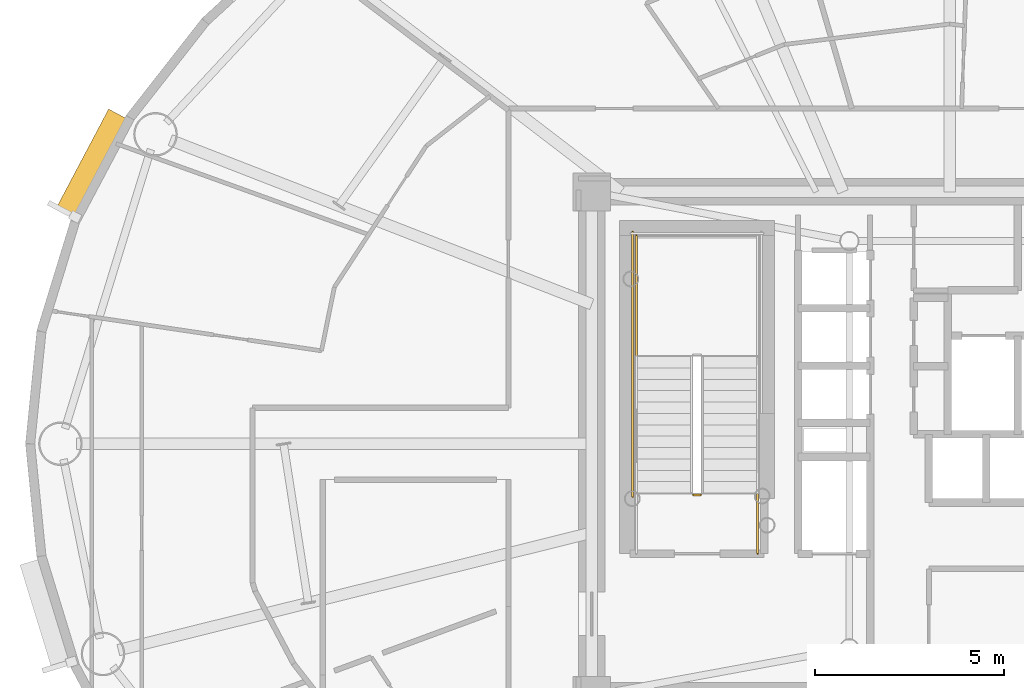
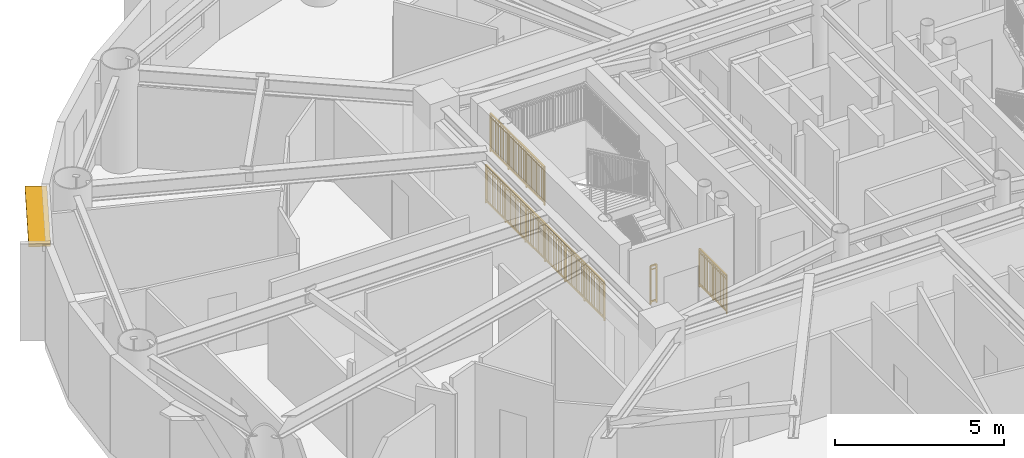
# One storey, part 16 of 22: 4 railings, 1 shading device.
"""IFC4 building model written with IfcOpenShell, lengths in metres."""

from ifc_helpers import new_model, si_unit, direction, frame, origin, origin_2d, place, context, subcontext, project, spatial, rectangle, extrude, source, transform, mapped, material, layer, layer_set, type_object, element, save


model = new_model("IFC4")

# Units and contexts
model_context = context("Model", 3, precision=1e-05, world=origin(), true_north=direction((0.0, 1.0)))
body_context = subcontext(model_context, "Body", "Model", "MODEL_VIEW")
ifc_project = project(units=[si_unit("LENGTHUNIT", "METRE"), si_unit("AREAUNIT", "SQUARE_METRE"), si_unit("VOLUMEUNIT", "CUBIC_METRE"), si_unit("PLANEANGLEUNIT", "RADIAN"), si_unit("MASSUNIT", "GRAM", prefix="KILO")], contexts=[model_context])

# Site, building, storey
site_placement = place(None, origin())
site = spatial("IfcSite", under=ifc_project, at=site_placement, CompositionType="ELEMENT")
building_placement = place(site_placement, origin())
building = spatial("IfcBuilding", under=site, at=building_placement, Name="Linh Dai School and Residence Tower", CompositionType="ELEMENT")
storey_placement = place(building_placement, frame((0.0, 0.0, 214.050048828125)))
storey = spatial("IfcBuildingStorey", under=building, at=storey_placement, Name="L52", CompositionType="ELEMENT", Elevation=214.050048828125)

# Shading device
ifc_material_1 = material(Name="Terracotta Ceramic Sunshade", Category="masonry")
ifc_layer = layer(ifc_material_1, 0.10009765625)
ifc_layer_set = layer_set([ifc_layer], Name="Terracotta Ceramic Sunshade")
shading_device_type = type_object("IfcShadingDeviceType", Name="SHD-TC-650", PredefinedType="USERDEFINED", material=ifc_layer_set)
shared_shape_1 = source(origin(), body_context, "Body", "SweptSolid", [
    extrude(rectangle(XDim=2.986083984375, YDim=0.64990234375, at=origin_2d()), origin(), (0.0, 0.0, 1.0), 0.10009765625),
])
shading_device_placement = place(storey_placement, frame((13.385009765625, 34.36376953125, 3.3798828125), z_axis=(0.0, 0.0, 1.0), x_axis=(0.467621224891, 0.883928950783, 0.0)))
element("IfcShadingDevice", 1, at=shading_device_placement, inside=storey, type_object=shading_device_type, Name="L52 Terracotta Horizontal Sunshade Band 18", ObjectType="SUNSHADE", PredefinedType="USERDEFINED", context=body_context, shape_type="MappedRepresentation", body=[
    mapped(shared_shape_1, transform((0.0, 0.0, 0.0), x_axis=(1.0, 0.0, 0.0), y_axis=(0.0, 1.0, 0.0), z_axis=(0.0, 0.0, 1.0), scale=1.0)),
])

# Railings
ifc_material_2 = material(Name="Structural Steel S355JR", Category="steel")
railing_type = type_object("IfcRailingType", Name="RL-ST-GUARD-1400", PredefinedType="GUARDRAIL", material=ifc_material_2)
shared_shape_2 = source(origin(), body_context, "Body", "SweptSolid", [
    extrude(rectangle(XDim=0.048095703125, YDim=0.048095703125, at=origin_2d()), frame((0.0, 0.0, 1.3759765625), z_axis=(-1.0, 0.0, 0.0), x_axis=(0.0, -1.0, 0.0)), (0.0, 0.0, 1.0), 0.199951171875),
    extrude(rectangle(XDim=0.048095703125, YDim=0.048095703125, at=origin_2d()), frame((0.0, 0.0, 0.10009765625), z_axis=(-1.0, 0.0, 0.0), x_axis=(0.0, -1.0, 0.0)), (0.0, 0.0, 1.0), 0.199951171875),
    extrude(rectangle(XDim=0.030029296875, YDim=0.030029296875, at=origin_2d()), frame((0.0, 0.0, 1.239990234375), z_axis=(-1.0, 0.0, 0.0), x_axis=(0.0, -1.0, 0.0)), (0.0, 0.0, 1.0), 0.199951171875),
    extrude(rectangle(XDim=0.0419921875, YDim=0.0419921875, at=origin_2d()), origin(), (0.0, 0.0, 1.0), 1.3759765625),
    extrude(rectangle(XDim=0.0419921875, YDim=0.0419921875, at=origin_2d()), frame((-0.199951171875, 0.0, 0.0)), (0.0, 0.0, 1.0), 1.3759765625),
])
railing_1_placement = place(storey_placement, frame((29.429931640625, 25.64990234375, 0.0)))
element("IfcRailing", 2, at=railing_1_placement, inside=storey, type_object=railing_type, Name="L52 ST1 stair guard 7", PredefinedType="GUARDRAIL", context=body_context, shape_type="MappedRepresentation", body=[
    mapped(shared_shape_2, transform((0.0, 0.0, 0.0), x_axis=(1.0, 0.0, 0.0), y_axis=(0.0, 1.0, 0.0), z_axis=(0.0, 0.0, 1.0), scale=1.0)),
])
shared_shape_3 = source(origin(), body_context, "Body", "SweptSolid", [
    extrude(rectangle(XDim=0.048095703125, YDim=0.048095703125, at=origin_2d()), frame((0.0, 0.0, 1.3759765625), z_axis=(0.0, 1.0, 0.0), x_axis=(-1.0, 0.0, 0.0)), (0.0, 0.0, 1.0), 1.599853515625),
    extrude(rectangle(XDim=0.048095703125, YDim=0.048095703125, at=origin_2d()), frame((0.0, 0.0, 0.10009765625), z_axis=(0.0, 1.0, 0.0), x_axis=(-1.0, 0.0, 0.0)), (0.0, 0.0, 1.0), 1.599853515625),
    extrude(rectangle(XDim=0.030029296875, YDim=0.030029296875, at=origin_2d()), frame((0.0, 0.0, 1.239990234375), z_axis=(0.0, 1.0, 0.0), x_axis=(-1.0, 0.0, 0.0)), (0.0, 0.0, 1.0), 1.599853515625),
    extrude(rectangle(XDim=0.02001953125, YDim=0.02001953125, at=origin_2d()), frame((0.0, 0.093994140625, 0.10009765625)), (0.0, 0.0, 1.0), 1.251708984375),
    extrude(rectangle(XDim=0.02001953125, YDim=0.02001953125, at=origin_2d()), frame((0.0, 0.188232421875, 0.10009765625)), (0.0, 0.0, 1.0), 1.251708984375),
    extrude(rectangle(XDim=0.02001953125, YDim=0.02001953125, at=origin_2d()), frame((0.0, 0.2822265625, 0.10009765625)), (0.0, 0.0, 1.0), 1.251708984375),
    extrude(rectangle(XDim=0.02001953125, YDim=0.02001953125, at=origin_2d()), frame((0.0, 0.37646484375, 0.10009765625)), (0.0, 0.0, 1.0), 1.251708984375),
    extrude(rectangle(XDim=0.02001953125, YDim=0.02001953125, at=origin_2d()), frame((0.0, 0.470458984375, 0.10009765625)), (0.0, 0.0, 1.0), 1.251708984375),
    extrude(rectangle(XDim=0.02001953125, YDim=0.02001953125, at=origin_2d()), frame((0.0, 0.564697265625, 0.10009765625)), (0.0, 0.0, 1.0), 1.251708984375),
    extrude(rectangle(XDim=0.02001953125, YDim=0.02001953125, at=origin_2d()), frame((0.0, 0.65869140625, 0.10009765625)), (0.0, 0.0, 1.0), 1.251708984375),
    extrude(rectangle(XDim=0.02001953125, YDim=0.02001953125, at=origin_2d()), frame((0.0, 0.7529296875, 0.10009765625)), (0.0, 0.0, 1.0), 1.251708984375),
    extrude(rectangle(XDim=0.02001953125, YDim=0.02001953125, at=origin_2d()), frame((0.0, 0.846923828125, 0.10009765625)), (0.0, 0.0, 1.0), 1.251708984375),
    extrude(rectangle(XDim=0.02001953125, YDim=0.02001953125, at=origin_2d()), frame((0.0, 0.941162109375, 0.10009765625)), (0.0, 0.0, 1.0), 1.251708984375),
    extrude(rectangle(XDim=0.02001953125, YDim=0.02001953125, at=origin_2d()), frame((0.0, 1.03515625, 0.10009765625)), (0.0, 0.0, 1.0), 1.251708984375),
    extrude(rectangle(XDim=0.02001953125, YDim=0.02001953125, at=origin_2d()), frame((0.0, 1.12939453125, 0.10009765625)), (0.0, 0.0, 1.0), 1.251708984375),
    extrude(rectangle(XDim=0.02001953125, YDim=0.02001953125, at=origin_2d()), frame((0.0, 1.223388671875, 0.10009765625)), (0.0, 0.0, 1.0), 1.251708984375),
    extrude(rectangle(XDim=0.02001953125, YDim=0.02001953125, at=origin_2d()), frame((0.0, 1.317626953125, 0.10009765625)), (0.0, 0.0, 1.0), 1.251708984375),
    extrude(rectangle(XDim=0.02001953125, YDim=0.02001953125, at=origin_2d()), frame((0.0, 1.41162109375, 0.10009765625)), (0.0, 0.0, 1.0), 1.251708984375),
    extrude(rectangle(XDim=0.02001953125, YDim=0.02001953125, at=origin_2d()), frame((0.0, 1.505859375, 0.10009765625)), (0.0, 0.0, 1.0), 1.251708984375),
    extrude(rectangle(XDim=0.0419921875, YDim=0.0419921875, at=origin_2d()), origin(), (0.0, 0.0, 1.0), 1.3759765625),
    extrude(rectangle(XDim=0.0419921875, YDim=0.0419921875, at=origin_2d()), frame((0.0, 0.7998046875, 0.0)), (0.0, 0.0, 1.0), 1.3759765625),
    extrude(rectangle(XDim=0.0419921875, YDim=0.0419921875, at=origin_2d()), frame((0.0, 1.599853515625, 0.0)), (0.0, 0.0, 1.0), 1.3759765625),
])
railing_2_placement = place(storey_placement, frame((30.929931640625, 24.10009765625, 0.0)))
element("IfcRailing", 3, at=railing_2_placement, inside=storey, type_object=railing_type, Name="L52 ST1 stair guard 8", PredefinedType="GUARDRAIL", context=body_context, shape_type="MappedRepresentation", body=[
    mapped(shared_shape_3, transform((0.0, 0.0, 0.0), x_axis=(1.0, 0.0, 0.0), y_axis=(0.0, 1.0, 0.0), z_axis=(0.0, 0.0, 1.0), scale=1.0)),
])
shared_shape_4 = source(origin(), body_context, "Body", "SweptSolid", [
    extrude(rectangle(XDim=0.048095703125, YDim=0.048095703125, at=origin_2d()), frame((0.0, 0.0, 1.3759765625), z_axis=(0.0, 1.0, 0.0), x_axis=(-1.0, 0.0, 0.0)), (0.0, 0.0, 1.0), 7.0),
    extrude(rectangle(XDim=0.048095703125, YDim=0.048095703125, at=origin_2d()), frame((0.0, 0.0, 0.10009765625), z_axis=(0.0, 1.0, 0.0), x_axis=(-1.0, 0.0, 0.0)), (0.0, 0.0, 1.0), 7.0),
    extrude(rectangle(XDim=0.030029296875, YDim=0.030029296875, at=origin_2d()), frame((0.0, 0.0, 1.239990234375), z_axis=(0.0, 1.0, 0.0), x_axis=(-1.0, 0.0, 0.0)), (0.0, 0.0, 1.0), 7.0),
    extrude(rectangle(XDim=0.02001953125, YDim=0.02001953125, at=origin_2d()), frame((0.0, 0.09716796875, 0.10009765625)), (0.0, 0.0, 1.0), 1.251708984375),
    extrude(rectangle(XDim=0.02001953125, YDim=0.02001953125, at=origin_2d()), frame((0.0, 0.1943359375, 0.10009765625)), (0.0, 0.0, 1.0), 1.251708984375),
    extrude(rectangle(XDim=0.02001953125, YDim=0.02001953125, at=origin_2d()), frame((0.0, 0.291748046875, 0.10009765625)), (0.0, 0.0, 1.0), 1.251708984375),
    extrude(rectangle(XDim=0.02001953125, YDim=0.02001953125, at=origin_2d()), frame((0.0, 0.388916015625, 0.10009765625)), (0.0, 0.0, 1.0), 1.251708984375),
    extrude(rectangle(XDim=0.02001953125, YDim=0.02001953125, at=origin_2d()), frame((0.0, 0.486083984375, 0.10009765625)), (0.0, 0.0, 1.0), 1.251708984375),
    extrude(rectangle(XDim=0.02001953125, YDim=0.02001953125, at=origin_2d()), frame((0.0, 0.583251953125, 0.10009765625)), (0.0, 0.0, 1.0), 1.251708984375),
    extrude(rectangle(XDim=0.02001953125, YDim=0.02001953125, at=origin_2d()), frame((0.0, 0.6806640625, 0.10009765625)), (0.0, 0.0, 1.0), 1.251708984375),
    extrude(rectangle(XDim=0.02001953125, YDim=0.02001953125, at=origin_2d()), frame((0.0, 0.77783203125, 0.10009765625)), (0.0, 0.0, 1.0), 1.251708984375),
    extrude(rectangle(XDim=0.02001953125, YDim=0.02001953125, at=origin_2d()), frame((0.0, 0.875, 0.10009765625)), (0.0, 0.0, 1.0), 1.251708984375),
    extrude(rectangle(XDim=0.02001953125, YDim=0.02001953125, at=origin_2d()), frame((0.0, 0.97216796875, 0.10009765625)), (0.0, 0.0, 1.0), 1.251708984375),
    extrude(rectangle(XDim=0.02001953125, YDim=0.02001953125, at=origin_2d()), frame((0.0, 1.0693359375, 0.10009765625)), (0.0, 0.0, 1.0), 1.251708984375),
    extrude(rectangle(XDim=0.02001953125, YDim=0.02001953125, at=origin_2d()), frame((0.0, 1.263916015625, 0.10009765625)), (0.0, 0.0, 1.0), 1.251708984375),
    extrude(rectangle(XDim=0.02001953125, YDim=0.02001953125, at=origin_2d()), frame((0.0, 1.361083984375, 0.10009765625)), (0.0, 0.0, 1.0), 1.251708984375),
    extrude(rectangle(XDim=0.02001953125, YDim=0.02001953125, at=origin_2d()), frame((0.0, 1.458251953125, 0.10009765625)), (0.0, 0.0, 1.0), 1.251708984375),
    extrude(rectangle(XDim=0.02001953125, YDim=0.02001953125, at=origin_2d()), frame((0.0, 1.5556640625, 0.10009765625)), (0.0, 0.0, 1.0), 1.251708984375),
    extrude(rectangle(XDim=0.02001953125, YDim=0.02001953125, at=origin_2d()), frame((0.0, 1.65283203125, 0.10009765625)), (0.0, 0.0, 1.0), 1.251708984375),
    extrude(rectangle(XDim=0.02001953125, YDim=0.02001953125, at=origin_2d()), frame((0.0, 1.75, 0.10009765625)), (0.0, 0.0, 1.0), 1.251708984375),
    extrude(rectangle(XDim=0.02001953125, YDim=0.02001953125, at=origin_2d()), frame((0.0, 1.84716796875, 0.10009765625)), (0.0, 0.0, 1.0), 1.251708984375),
    extrude(rectangle(XDim=0.02001953125, YDim=0.02001953125, at=origin_2d()), frame((0.0, 1.9443359375, 0.10009765625)), (0.0, 0.0, 1.0), 1.251708984375),
    extrude(rectangle(XDim=0.02001953125, YDim=0.02001953125, at=origin_2d()), frame((0.0, 2.041748046875, 0.10009765625)), (0.0, 0.0, 1.0), 1.251708984375),
    extrude(rectangle(XDim=0.02001953125, YDim=0.02001953125, at=origin_2d()), frame((0.0, 2.138916015625, 0.10009765625)), (0.0, 0.0, 1.0), 1.251708984375),
    extrude(rectangle(XDim=0.02001953125, YDim=0.02001953125, at=origin_2d()), frame((0.0, 2.236083984375, 0.10009765625)), (0.0, 0.0, 1.0), 1.251708984375),
    extrude(rectangle(XDim=0.02001953125, YDim=0.02001953125, at=origin_2d()), frame((0.0, 2.4306640625, 0.10009765625)), (0.0, 0.0, 1.0), 1.251708984375),
    extrude(rectangle(XDim=0.02001953125, YDim=0.02001953125, at=origin_2d()), frame((0.0, 2.52783203125, 0.10009765625)), (0.0, 0.0, 1.0), 1.251708984375),
    extrude(rectangle(XDim=0.02001953125, YDim=0.02001953125, at=origin_2d()), frame((0.0, 2.625, 0.10009765625)), (0.0, 0.0, 1.0), 1.251708984375),
    extrude(rectangle(XDim=0.02001953125, YDim=0.02001953125, at=origin_2d()), frame((0.0, 2.72216796875, 0.10009765625)), (0.0, 0.0, 1.0), 1.251708984375),
    extrude(rectangle(XDim=0.02001953125, YDim=0.02001953125, at=origin_2d()), frame((0.0, 2.8193359375, 0.10009765625)), (0.0, 0.0, 1.0), 1.251708984375),
    extrude(rectangle(XDim=0.02001953125, YDim=0.02001953125, at=origin_2d()), frame((0.0, 2.916748046875, 0.10009765625)), (0.0, 0.0, 1.0), 1.251708984375),
    extrude(rectangle(XDim=0.02001953125, YDim=0.02001953125, at=origin_2d()), frame((0.0, 3.013916015625, 0.10009765625)), (0.0, 0.0, 1.0), 1.251708984375),
    extrude(rectangle(XDim=0.02001953125, YDim=0.02001953125, at=origin_2d()), frame((0.0, 3.111083984375, 0.10009765625)), (0.0, 0.0, 1.0), 1.251708984375),
    extrude(rectangle(XDim=0.02001953125, YDim=0.02001953125, at=origin_2d()), frame((0.0, 3.208251953125, 0.10009765625)), (0.0, 0.0, 1.0), 1.251708984375),
    extrude(rectangle(XDim=0.02001953125, YDim=0.02001953125, at=origin_2d()), frame((0.0, 3.3056640625, 0.10009765625)), (0.0, 0.0, 1.0), 1.251708984375),
    extrude(rectangle(XDim=0.02001953125, YDim=0.02001953125, at=origin_2d()), frame((0.0, 3.40283203125, 0.10009765625)), (0.0, 0.0, 1.0), 1.251708984375),
    extrude(rectangle(XDim=0.02001953125, YDim=0.02001953125, at=origin_2d()), frame((0.0, 3.59716796875, 0.10009765625)), (0.0, 0.0, 1.0), 1.251708984375),
    extrude(rectangle(XDim=0.02001953125, YDim=0.02001953125, at=origin_2d()), frame((0.0, 3.6943359375, 0.10009765625)), (0.0, 0.0, 1.0), 1.251708984375),
    extrude(rectangle(XDim=0.02001953125, YDim=0.02001953125, at=origin_2d()), frame((0.0, 3.791748046875, 0.10009765625)), (0.0, 0.0, 1.0), 1.251708984375),
    extrude(rectangle(XDim=0.02001953125, YDim=0.02001953125, at=origin_2d()), frame((0.0, 3.888916015625, 0.10009765625)), (0.0, 0.0, 1.0), 1.251708984375),
    extrude(rectangle(XDim=0.02001953125, YDim=0.02001953125, at=origin_2d()), frame((0.0, 3.986083984375, 0.10009765625)), (0.0, 0.0, 1.0), 1.251708984375),
    extrude(rectangle(XDim=0.02001953125, YDim=0.02001953125, at=origin_2d()), frame((0.0, 4.083251953125, 0.10009765625)), (0.0, 0.0, 1.0), 1.251708984375),
    extrude(rectangle(XDim=0.02001953125, YDim=0.02001953125, at=origin_2d()), frame((0.0, 4.1806640625, 0.10009765625)), (0.0, 0.0, 1.0), 1.251708984375),
    extrude(rectangle(XDim=0.02001953125, YDim=0.02001953125, at=origin_2d()), frame((0.0, 4.27783203125, 0.10009765625)), (0.0, 0.0, 1.0), 1.251708984375),
    extrude(rectangle(XDim=0.02001953125, YDim=0.02001953125, at=origin_2d()), frame((0.0, 4.375, 0.10009765625)), (0.0, 0.0, 1.0), 1.251708984375),
    extrude(rectangle(XDim=0.02001953125, YDim=0.02001953125, at=origin_2d()), frame((0.0, 4.47216796875, 0.10009765625)), (0.0, 0.0, 1.0), 1.251708984375),
    extrude(rectangle(XDim=0.02001953125, YDim=0.02001953125, at=origin_2d()), frame((0.0, 4.5693359375, 0.10009765625)), (0.0, 0.0, 1.0), 1.251708984375),
    extrude(rectangle(XDim=0.02001953125, YDim=0.02001953125, at=origin_2d()), frame((0.0, 4.763916015625, 0.10009765625)), (0.0, 0.0, 1.0), 1.251708984375),
    extrude(rectangle(XDim=0.02001953125, YDim=0.02001953125, at=origin_2d()), frame((0.0, 4.861083984375, 0.10009765625)), (0.0, 0.0, 1.0), 1.251708984375),
    extrude(rectangle(XDim=0.02001953125, YDim=0.02001953125, at=origin_2d()), frame((0.0, 4.958251953125, 0.10009765625)), (0.0, 0.0, 1.0), 1.251708984375),
    extrude(rectangle(XDim=0.02001953125, YDim=0.02001953125, at=origin_2d()), frame((0.0, 5.0556640625, 0.10009765625)), (0.0, 0.0, 1.0), 1.251708984375),
    extrude(rectangle(XDim=0.02001953125, YDim=0.02001953125, at=origin_2d()), frame((0.0, 5.15283203125, 0.10009765625)), (0.0, 0.0, 1.0), 1.251708984375),
    extrude(rectangle(XDim=0.02001953125, YDim=0.02001953125, at=origin_2d()), frame((0.0, 5.25, 0.10009765625)), (0.0, 0.0, 1.0), 1.251708984375),
    extrude(rectangle(XDim=0.02001953125, YDim=0.02001953125, at=origin_2d()), frame((0.0, 5.34716796875, 0.10009765625)), (0.0, 0.0, 1.0), 1.251708984375),
    extrude(rectangle(XDim=0.02001953125, YDim=0.02001953125, at=origin_2d()), frame((0.0, 5.4443359375, 0.10009765625)), (0.0, 0.0, 1.0), 1.251708984375),
    extrude(rectangle(XDim=0.02001953125, YDim=0.02001953125, at=origin_2d()), frame((0.0, 5.541748046875, 0.10009765625)), (0.0, 0.0, 1.0), 1.251708984375),
    extrude(rectangle(XDim=0.02001953125, YDim=0.02001953125, at=origin_2d()), frame((0.0, 5.638916015625, 0.10009765625)), (0.0, 0.0, 1.0), 1.251708984375),
    extrude(rectangle(XDim=0.02001953125, YDim=0.02001953125, at=origin_2d()), frame((0.0, 5.736083984375, 0.10009765625)), (0.0, 0.0, 1.0), 1.251708984375),
    extrude(rectangle(XDim=0.02001953125, YDim=0.02001953125, at=origin_2d()), frame((0.0, 5.9306640625, 0.10009765625)), (0.0, 0.0, 1.0), 1.251708984375),
    extrude(rectangle(XDim=0.02001953125, YDim=0.02001953125, at=origin_2d()), frame((0.0, 6.02783203125, 0.10009765625)), (0.0, 0.0, 1.0), 1.251708984375),
    extrude(rectangle(XDim=0.02001953125, YDim=0.02001953125, at=origin_2d()), frame((0.0, 6.125, 0.10009765625)), (0.0, 0.0, 1.0), 1.251708984375),
    extrude(rectangle(XDim=0.02001953125, YDim=0.02001953125, at=origin_2d()), frame((0.0, 6.22216796875, 0.10009765625)), (0.0, 0.0, 1.0), 1.251708984375),
    extrude(rectangle(XDim=0.02001953125, YDim=0.02001953125, at=origin_2d()), frame((0.0, 6.3193359375, 0.10009765625)), (0.0, 0.0, 1.0), 1.251708984375),
    extrude(rectangle(XDim=0.02001953125, YDim=0.02001953125, at=origin_2d()), frame((0.0, 6.416748046875, 0.10009765625)), (0.0, 0.0, 1.0), 1.251708984375),
    extrude(rectangle(XDim=0.02001953125, YDim=0.02001953125, at=origin_2d()), frame((0.0, 6.513916015625, 0.10009765625)), (0.0, 0.0, 1.0), 1.251708984375),
    extrude(rectangle(XDim=0.02001953125, YDim=0.02001953125, at=origin_2d()), frame((0.0, 6.611083984375, 0.10009765625)), (0.0, 0.0, 1.0), 1.251708984375),
    extrude(rectangle(XDim=0.02001953125, YDim=0.02001953125, at=origin_2d()), frame((0.0, 6.708251953125, 0.10009765625)), (0.0, 0.0, 1.0), 1.251708984375),
    extrude(rectangle(XDim=0.02001953125, YDim=0.02001953125, at=origin_2d()), frame((0.0, 6.8056640625, 0.10009765625)), (0.0, 0.0, 1.0), 1.251708984375),
    extrude(rectangle(XDim=0.02001953125, YDim=0.02001953125, at=origin_2d()), frame((0.0, 6.90283203125, 0.10009765625)), (0.0, 0.0, 1.0), 1.251708984375),
    extrude(rectangle(XDim=0.0419921875, YDim=0.0419921875, at=origin_2d()), origin(), (0.0, 0.0, 1.0), 1.3759765625),
    extrude(rectangle(XDim=0.0419921875, YDim=0.0419921875, at=origin_2d()), frame((0.0, 1.166748046875, 0.0)), (0.0, 0.0, 1.0), 1.3759765625),
    extrude(rectangle(XDim=0.0419921875, YDim=0.0419921875, at=origin_2d()), frame((0.0, 2.333251953125, 0.0)), (0.0, 0.0, 1.0), 1.3759765625),
    extrude(rectangle(XDim=0.0419921875, YDim=0.0419921875, at=origin_2d()), frame((0.0, 3.5, 0.0)), (0.0, 0.0, 1.0), 1.3759765625),
    extrude(rectangle(XDim=0.0419921875, YDim=0.0419921875, at=origin_2d()), frame((0.0, 4.666748046875, 0.0)), (0.0, 0.0, 1.0), 1.3759765625),
    extrude(rectangle(XDim=0.0419921875, YDim=0.0419921875, at=origin_2d()), frame((0.0, 5.833251953125, 0.0)), (0.0, 0.0, 1.0), 1.3759765625),
    extrude(rectangle(XDim=0.0419921875, YDim=0.0419921875, at=origin_2d()), frame((0.0, 7.0, 0.0)), (0.0, 0.0, 1.0), 1.3759765625),
])
railing_3_placement = place(storey_placement, frame((27.6298828125, 25.60009765625, 0.0)))
element("IfcRailing", 4, at=railing_3_placement, inside=storey, type_object=railing_type, Name="L52 ST1 stair guard 11", PredefinedType="GUARDRAIL", context=body_context, shape_type="MappedRepresentation", body=[
    mapped(shared_shape_4, transform((0.0, 0.0, 0.0), x_axis=(1.0, 0.0, 0.0), y_axis=(0.0, 1.0, 0.0), z_axis=(0.0, 0.0, 1.0), scale=1.0)),
])
shared_shape_5 = source(origin(), body_context, "Body", "SweptSolid", [
    extrude(rectangle(XDim=0.048095703125, YDim=0.048095703125, at=origin_2d()), frame((0.0, 0.0, 1.3759765625), z_axis=(0.0, 1.0, 0.0), x_axis=(-1.0, 0.0, 0.0)), (0.0, 0.0, 1.0), 3.199951171875),
    extrude(rectangle(XDim=0.048095703125, YDim=0.048095703125, at=origin_2d()), frame((0.0, 0.0, 0.10009765625), z_axis=(0.0, 1.0, 0.0), x_axis=(-1.0, 0.0, 0.0)), (0.0, 0.0, 1.0), 3.199951171875),
    extrude(rectangle(XDim=0.030029296875, YDim=0.030029296875, at=origin_2d()), frame((0.0, 0.0, 1.239990234375), z_axis=(0.0, 1.0, 0.0), x_axis=(-1.0, 0.0, 0.0)), (0.0, 0.0, 1.0), 3.199951171875),
    extrude(rectangle(XDim=0.02001953125, YDim=0.02001953125, at=origin_2d()), frame((0.0, 0.096923828125, 0.10009765625)), (0.0, 0.0, 1.0), 1.251708984375),
    extrude(rectangle(XDim=0.02001953125, YDim=0.02001953125, at=origin_2d()), frame((0.0, 0.19384765625, 0.10009765625)), (0.0, 0.0, 1.0), 1.251708984375),
    extrude(rectangle(XDim=0.02001953125, YDim=0.02001953125, at=origin_2d()), frame((0.0, 0.291015625, 0.10009765625)), (0.0, 0.0, 1.0), 1.251708984375),
    extrude(rectangle(XDim=0.02001953125, YDim=0.02001953125, at=origin_2d()), frame((0.0, 0.387939453125, 0.10009765625)), (0.0, 0.0, 1.0), 1.251708984375),
    extrude(rectangle(XDim=0.02001953125, YDim=0.02001953125, at=origin_2d()), frame((0.0, 0.48486328125, 0.10009765625)), (0.0, 0.0, 1.0), 1.251708984375),
    extrude(rectangle(XDim=0.02001953125, YDim=0.02001953125, at=origin_2d()), frame((0.0, 0.581787109375, 0.10009765625)), (0.0, 0.0, 1.0), 1.251708984375),
    extrude(rectangle(XDim=0.02001953125, YDim=0.02001953125, at=origin_2d()), frame((0.0, 0.6787109375, 0.10009765625)), (0.0, 0.0, 1.0), 1.251708984375),
    extrude(rectangle(XDim=0.02001953125, YDim=0.02001953125, at=origin_2d()), frame((0.0, 0.775634765625, 0.10009765625)), (0.0, 0.0, 1.0), 1.251708984375),
    extrude(rectangle(XDim=0.02001953125, YDim=0.02001953125, at=origin_2d()), frame((0.0, 0.872802734375, 0.10009765625)), (0.0, 0.0, 1.0), 1.251708984375),
    extrude(rectangle(XDim=0.02001953125, YDim=0.02001953125, at=origin_2d()), frame((0.0, 0.9697265625, 0.10009765625)), (0.0, 0.0, 1.0), 1.251708984375),
    extrude(rectangle(XDim=0.02001953125, YDim=0.02001953125, at=origin_2d()), frame((0.0, 1.16357421875, 0.10009765625)), (0.0, 0.0, 1.0), 1.251708984375),
    extrude(rectangle(XDim=0.02001953125, YDim=0.02001953125, at=origin_2d()), frame((0.0, 1.260498046875, 0.10009765625)), (0.0, 0.0, 1.0), 1.251708984375),
    extrude(rectangle(XDim=0.02001953125, YDim=0.02001953125, at=origin_2d()), frame((0.0, 1.357666015625, 0.10009765625)), (0.0, 0.0, 1.0), 1.251708984375),
    extrude(rectangle(XDim=0.02001953125, YDim=0.02001953125, at=origin_2d()), frame((0.0, 1.45458984375, 0.10009765625)), (0.0, 0.0, 1.0), 1.251708984375),
    extrude(rectangle(XDim=0.02001953125, YDim=0.02001953125, at=origin_2d()), frame((0.0, 1.551513671875, 0.10009765625)), (0.0, 0.0, 1.0), 1.251708984375),
    extrude(rectangle(XDim=0.02001953125, YDim=0.02001953125, at=origin_2d()), frame((0.0, 1.6484375, 0.10009765625)), (0.0, 0.0, 1.0), 1.251708984375),
    extrude(rectangle(XDim=0.02001953125, YDim=0.02001953125, at=origin_2d()), frame((0.0, 1.745361328125, 0.10009765625)), (0.0, 0.0, 1.0), 1.251708984375),
    extrude(rectangle(XDim=0.02001953125, YDim=0.02001953125, at=origin_2d()), frame((0.0, 1.84228515625, 0.10009765625)), (0.0, 0.0, 1.0), 1.251708984375),
    extrude(rectangle(XDim=0.02001953125, YDim=0.02001953125, at=origin_2d()), frame((0.0, 1.939453125, 0.10009765625)), (0.0, 0.0, 1.0), 1.251708984375),
    extrude(rectangle(XDim=0.02001953125, YDim=0.02001953125, at=origin_2d()), frame((0.0, 2.036376953125, 0.10009765625)), (0.0, 0.0, 1.0), 1.251708984375),
    extrude(rectangle(XDim=0.02001953125, YDim=0.02001953125, at=origin_2d()), frame((0.0, 2.230224609375, 0.10009765625)), (0.0, 0.0, 1.0), 1.251708984375),
    extrude(rectangle(XDim=0.02001953125, YDim=0.02001953125, at=origin_2d()), frame((0.0, 2.3271484375, 0.10009765625)), (0.0, 0.0, 1.0), 1.251708984375),
    extrude(rectangle(XDim=0.02001953125, YDim=0.02001953125, at=origin_2d()), frame((0.0, 2.42431640625, 0.10009765625)), (0.0, 0.0, 1.0), 1.251708984375),
    extrude(rectangle(XDim=0.02001953125, YDim=0.02001953125, at=origin_2d()), frame((0.0, 2.521240234375, 0.10009765625)), (0.0, 0.0, 1.0), 1.251708984375),
    extrude(rectangle(XDim=0.02001953125, YDim=0.02001953125, at=origin_2d()), frame((0.0, 2.6181640625, 0.10009765625)), (0.0, 0.0, 1.0), 1.251708984375),
    extrude(rectangle(XDim=0.02001953125, YDim=0.02001953125, at=origin_2d()), frame((0.0, 2.715087890625, 0.10009765625)), (0.0, 0.0, 1.0), 1.251708984375),
    extrude(rectangle(XDim=0.02001953125, YDim=0.02001953125, at=origin_2d()), frame((0.0, 2.81201171875, 0.10009765625)), (0.0, 0.0, 1.0), 1.251708984375),
    extrude(rectangle(XDim=0.02001953125, YDim=0.02001953125, at=origin_2d()), frame((0.0, 2.908935546875, 0.10009765625)), (0.0, 0.0, 1.0), 1.251708984375),
    extrude(rectangle(XDim=0.02001953125, YDim=0.02001953125, at=origin_2d()), frame((0.0, 3.006103515625, 0.10009765625)), (0.0, 0.0, 1.0), 1.251708984375),
    extrude(rectangle(XDim=0.02001953125, YDim=0.02001953125, at=origin_2d()), frame((0.0, 3.10302734375, 0.10009765625)), (0.0, 0.0, 1.0), 1.251708984375),
    extrude(rectangle(XDim=0.0419921875, YDim=0.0419921875, at=origin_2d()), origin(), (0.0, 0.0, 1.0), 1.3759765625),
    extrude(rectangle(XDim=0.0419921875, YDim=0.0419921875, at=origin_2d()), frame((0.0, 1.066650390625, 0.0)), (0.0, 0.0, 1.0), 1.3759765625),
    extrude(rectangle(XDim=0.0419921875, YDim=0.0419921875, at=origin_2d()), frame((0.0, 2.13330078125, 0.0)), (0.0, 0.0, 1.0), 1.3759765625),
    extrude(rectangle(XDim=0.0419921875, YDim=0.0419921875, at=origin_2d()), frame((0.0, 3.199951171875, 0.0)), (0.0, 0.0, 1.0), 1.3759765625),
])
railing_4_placement = place(storey_placement, frame((27.72998046875, 29.300048828125, 1.875)))
element("IfcRailing", 5, at=railing_4_placement, inside=storey, type_object=railing_type, Name="L52 ST1 stair guard 4", PredefinedType="GUARDRAIL", context=body_context, shape_type="MappedRepresentation", body=[
    mapped(shared_shape_5, transform((0.0, 0.0, 0.0), x_axis=(1.0, 0.0, 0.0), y_axis=(0.0, 1.0, 0.0), z_axis=(0.0, 0.0, 1.0), scale=1.0)),
])

save(model, "model.ifc")
